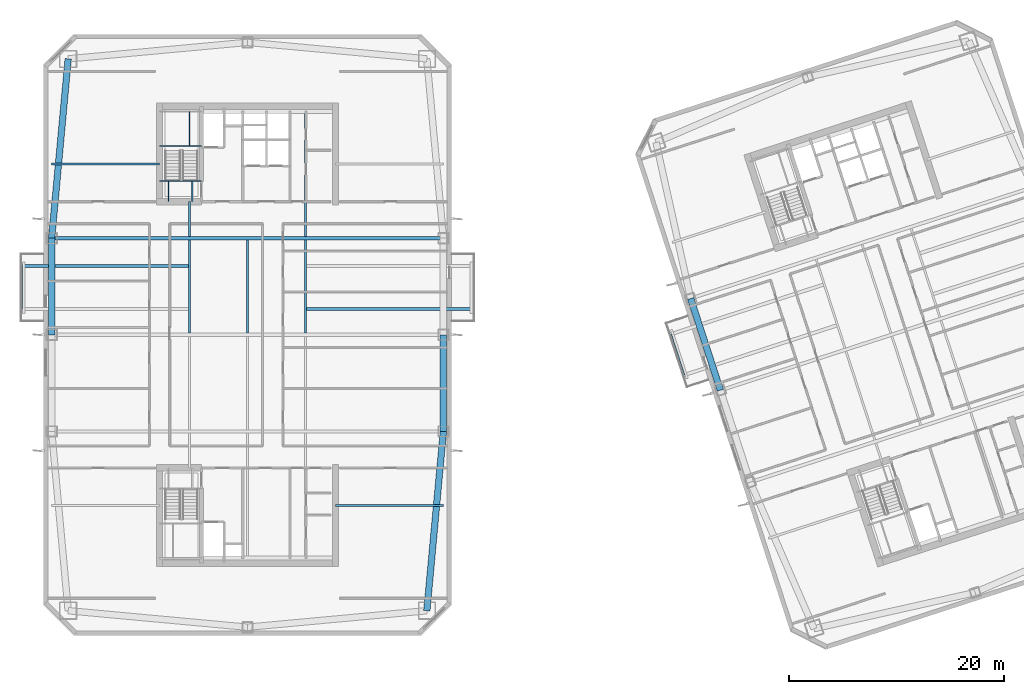
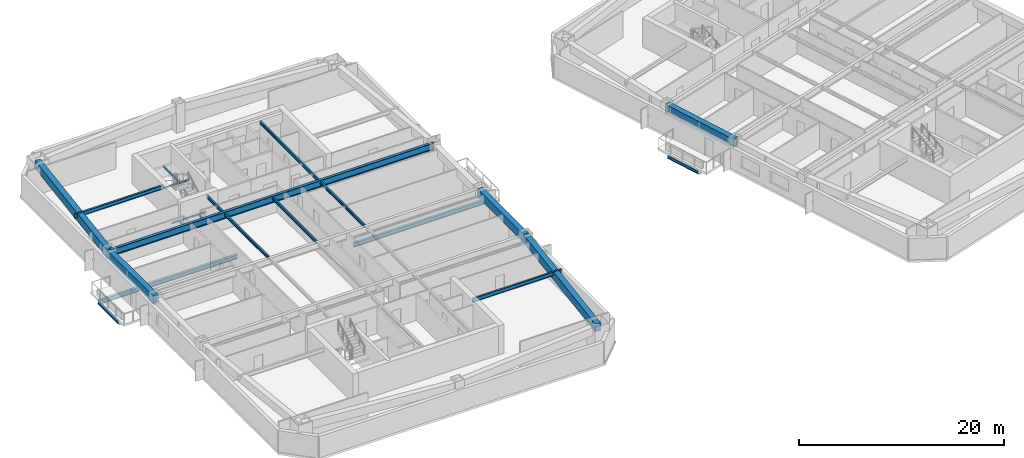
# One storey, part 4 of 23: 22 beams.
"""IFC4 building model written with IfcOpenShell, lengths in metres."""

import ifcopenshell
import ifcopenshell.guid

model = None  # the IFC model being written
_history = None  # IfcOwnerHistory: only IFC2X3 demands one
_inside = {}  # id of a spatial element -> (the spatial element, [elements in it])
_under = {}  # id of a project, library or spatial element -> (it, [spatial elements below it])
_declared = {}  # id of a project -> (the project, [libraries it declares])
_typed = {}  # id of a type object -> (the type object, [elements of that type])
_made_of = {}  # id of a material, layer set ... -> (it, [elements and type objects made of it])


def new_model(schema):
    """Start an empty IFC model of exactly this schema.

    Asked for "IFC4X3", IfcOpenShell would pick the latest addendum, in which some entities
    have other attributes; the version numbers below select the first issue.
    IFC2X3 requires an IfcOwnerHistory on every rooted entity: one is made here for all.
    """
    global model, _history
    if schema == "IFC4X3":
        model = ifcopenshell.file(schema_version=(4, 3, 0, 0))
    else:
        model = ifcopenshell.file(schema=schema)
    _inside.clear()
    _under.clear()
    _declared.clear()
    _typed.clear()
    _made_of.clear()
    _history = None
    if model.schema == "IFC2X3":
        org = make("IfcOrganization", Name="unknown")
        user = make(
            "IfcPersonAndOrganization",
            ThePerson=make("IfcPerson", FamilyName="unknown"),
            TheOrganization=org,
        )
        app = make(
            "IfcApplication",
            ApplicationDeveloper=org,
            Version="unknown",
            ApplicationFullName="unknown",
            ApplicationIdentifier="unknown",
        )
        _history = make(
            "IfcOwnerHistory",
            OwningUser=user,
            OwningApplication=app,
            ChangeAction="ADDED",
            CreationDate=0,
        )
    return model


def make(cls, **values):
    """One entity of the class cls with the attributes given. An attribute that is None is left unset."""
    return model.create_entity(
        cls, **{name: value for name, value in values.items() if value is not None}
    )


def rooted(cls, **values):
    """An entity with a GlobalId (a new one), such as an element, a storey or a relation."""
    return make(cls, GlobalId=ifcopenshell.guid.new(), OwnerHistory=_history, **values)


def si_unit(unit_type, name, prefix=None):
    """IfcSIUnit, for example si_unit("LENGTHUNIT", "METRE", prefix="MILLI")."""
    return make("IfcSIUnit", UnitType=unit_type, Prefix=prefix, Name=name)


def assignment(units):
    """IfcUnitAssignment: the units of a project."""
    return None if units is None else make("IfcUnitAssignment", Units=units)


def point(xyz):
    """IfcCartesianPoint."""
    return None if xyz is None else make("IfcCartesianPoint", Coordinates=xyz)


def direction(xyz):
    """IfcDirection."""
    return None if xyz is None else make("IfcDirection", DirectionRatios=xyz)


def frame(location, z_axis=None, x_axis=None):
    """IfcAxis2Placement3D, a coordinate frame: its origin and axes. An axis left out is left unset."""
    return make(
        "IfcAxis2Placement3D",
        Location=point(location),
        Axis=direction(z_axis),
        RefDirection=direction(x_axis),
    )


def frame_2d(location, x_axis=None):
    """IfcAxis2Placement2D, a coordinate frame in the plane: its origin and x axis."""
    return make(
        "IfcAxis2Placement2D", Location=point(location), RefDirection=direction(x_axis)
    )


def origin():
    """The frame at (0, 0, 0) with its axes left unset."""
    return frame((0.0, 0.0, 0.0))


def origin_2d():
    """The frame at (0, 0) in the plane with its x axis left unset."""
    return frame_2d((0.0, 0.0))


def place(relative_to, where):
    """IfcLocalPlacement: puts the frame where relative to a parent placement (None: the world)."""
    return make(
        "IfcLocalPlacement", PlacementRelTo=relative_to, RelativePlacement=where
    )


def context(
    kind, dimensions, precision=None, world=None, true_north=None, identifier=None
):
    """IfcGeometricRepresentationContext, for example the 3D "Model" context."""
    return make(
        "IfcGeometricRepresentationContext",
        ContextIdentifier=identifier,
        ContextType=kind,
        CoordinateSpaceDimension=dimensions,
        Precision=precision,
        WorldCoordinateSystem=world,
        TrueNorth=true_north,
    )


def subcontext(parent, identifier, kind, view, scale=None):
    """IfcGeometricRepresentationSubContext, for example "Body" below "Model"."""
    return make(
        "IfcGeometricRepresentationSubContext",
        ContextIdentifier=identifier,
        ContextType=kind,
        ParentContext=parent,
        TargetScale=scale,
        TargetView=view,
    )


def project(units=None, contexts=None):
    """IfcProject with its units and contexts."""
    return rooted(
        "IfcProject",
        Name="project",
        RepresentationContexts=contexts,
        UnitsInContext=assignment(units),
    )


def spatial(cls, under=None, at=None, **own):
    """A site, building, storey or space (cls), placed at a placement, below another one or the project."""
    s = rooted(cls, ObjectPlacement=at, **own)
    if under is not None:
        _under.setdefault(under.id(), (under, []))[1].append(s)
    return s


def profile(cls, at=None, kind="AREA", **sizes):
    """A parametric profile (cls). Its sizes go by their IFC names, for example OverallWidth=200.0."""
    return make(cls, ProfileType=kind, Position=at, **sizes)


def rectangle(**sizes):
    """IfcRectangleProfileDef."""
    return profile("IfcRectangleProfileDef", **sizes)


def i_section(**sizes):
    """IfcIShapeProfileDef."""
    return profile("IfcIShapeProfileDef", **sizes)


def extrude(swept, where, along, depth):
    """IfcExtrudedAreaSolid: the profile swept, set in the frame where, extruded along a direction by depth."""
    return make(
        "IfcExtrudedAreaSolid",
        SweptArea=swept,
        Position=where,
        ExtrudedDirection=direction(along),
        Depth=depth,
    )


def shape(context_of_items, identifier, shape_type, items):
    """IfcShapeRepresentation: the items that make up one representation, for example the "Body"."""
    return make(
        "IfcShapeRepresentation",
        ContextOfItems=context_of_items,
        RepresentationIdentifier=identifier,
        RepresentationType=shape_type,
        Items=items,
    )


def material(Name=None, Category=None):
    """IfcMaterial."""
    return make("IfcMaterial", Name=Name, Category=Category)


def material_profile(
    of_material, cross_section, Name=None, Category=None, Priority=None
):
    """IfcMaterialProfile: a cross section and its material."""
    return make(
        "IfcMaterialProfile",
        Name=Name,
        Material=of_material,
        Profile=cross_section,
        Priority=Priority,
        Category=Category,
    )


def profile_set(profiles, Name=None, composite=None):
    """IfcMaterialProfileSet."""
    return make(
        "IfcMaterialProfileSet",
        Name=Name,
        MaterialProfiles=profiles,
        CompositeProfile=composite,
    )


def made_of(thing, what):
    """Note that an element or type object is made of a material, layer set ...; save() writes the relation."""
    if what is not None:
        _made_of.setdefault(what.id(), (what, []))[1].append(thing)
    return thing


def type_object(cls, material=None, **own):
    """A type object (cls), such as IfcWallType, which elements share."""
    return made_of(rooted(cls, **own), material)


def element(
    cls,
    number,
    at=None,
    inside=None,
    cuts=None,
    type_object=None,
    material=None,
    context=None,
    identifier="Body",
    shape_type=None,
    held_by="IfcProductDefinitionShape",
    body=None,
    shapes=None,
    **own,
):
    """One element of the class cls, such as IfcWall. Its Tag is "e" and its number.

    at: its placement. inside: the storey or other place that contains it. cuts: it is an
    opening in that element (IfcRelVoidsElement). A single representation is given by context,
    identifier, shape_type and body (its items); several are given by shapes. held_by: the class
    of the entity that holds the representations. save() writes the other relations.
    """
    e = rooted(cls, Tag="e%d" % number, ObjectPlacement=at, **own)
    if body is not None:
        shapes = [shape(context, identifier, shape_type, body)]
    if shapes is not None:
        e.Representation = make(held_by, Representations=shapes)
    if inside is not None:
        _inside.setdefault(inside.id(), (inside, []))[1].append(e)
    if cuts is not None:
        rooted(
            "IfcRelVoidsElement", RelatingBuildingElement=cuts, RelatedOpeningElement=e
        )
    if type_object is not None:
        _typed.setdefault(type_object.id(), (type_object, []))[1].append(e)
    return made_of(e, material)


def aggregate(whole, parts):
    """IfcRelAggregates: a whole, such as a stair, and the parts it consists of."""
    return rooted("IfcRelAggregates", RelatingObject=whole, RelatedObjects=parts)


def save(model, path):
    """Write the relations noted so far, then the file.

    IfcRelAggregates (storeys below a building ...), IfcRelContainedInSpatialStructure (elements
    in a storey), IfcRelDefinesByType, IfcRelAssociatesMaterial and IfcRelDeclares: one each for
    every whole, place, type object, material and project.
    """
    for whole, parts in _under.values():
        aggregate(whole, parts)
    for where, things in _inside.values():
        rooted(
            "IfcRelContainedInSpatialStructure",
            RelatedElements=things,
            RelatingStructure=where,
        )
    for kind, things in _typed.values():
        rooted("IfcRelDefinesByType", RelatedObjects=things, RelatingType=kind)
    for what, things in _made_of.values():
        rooted("IfcRelAssociatesMaterial", RelatedObjects=things, RelatingMaterial=what)
    for by, libraries in _declared.values():
        rooted("IfcRelDeclares", RelatingContext=by, RelatedDefinitions=libraries)
    model.write(path)


model = new_model("IFC4")

# Units and contexts
model_context = context("Model", 3, precision=1e-05, world=origin(), true_north=direction((0.0, 1.0)))
body_context = subcontext(model_context, "Body", "Model", "MODEL_VIEW")
ifc_project = project(units=[si_unit("LENGTHUNIT", "METRE"), si_unit("AREAUNIT", "SQUARE_METRE"), si_unit("VOLUMEUNIT", "CUBIC_METRE"), si_unit("PLANEANGLEUNIT", "RADIAN"), si_unit("MASSUNIT", "GRAM", prefix="KILO")], contexts=[model_context])

# Site, building, storey
site_placement = place(None, origin())
site = spatial("IfcSite", under=ifc_project, at=site_placement, CompositionType="ELEMENT")
building_placement = place(site_placement, origin())
building = spatial("IfcBuilding", under=site, at=building_placement, Name="Qiaolan Cultural Towers", CompositionType="ELEMENT")
storey_placement = place(building_placement, frame((0.0, 0.0, 100.050048828125)))
storey = spatial("IfcBuildingStorey", under=building, at=storey_placement, Name="L25", CompositionType="ELEMENT", Elevation=100.050048828125)

# Beams
ifc_material_1 = material(Name="Steel Q355B", Category="steel")
ifc_material_profile_1 = material_profile(ifc_material_1, i_section(OverallWidth=0.300048828125, OverallDepth=0.488037109375, WebThickness=0.010986328125, FlangeThickness=0.01806640625, at=origin_2d()), Name="HM488x300x11x18")
ifc_profile_set_1 = profile_set([ifc_material_profile_1], Name="Steel Q355B")
beam_type_1 = type_object("IfcBeamType", Name="BM-HM488x300x11x18", PredefinedType="BEAM", material=ifc_profile_set_1)
for number, where, z_axis, x_axis, name in (
    (1, (24.60009765625, 40.39990234375, -0.524169921875), (-1.0, 0.0, 0.0), (0.0, -1.0, 0.0), "L25 T1 Tree Balcony Back-Spanned Bracket Beam"),
    (2, (35.39990234375, 36.39990234375, -0.524169921875), (1.0, 0.0, 0.0), (0.0, 1.0, 0.0), "L25 T1 Tree Balcony Back-Spanned Bracket Beam"),
):
    element("IfcBeam", number, at=place(storey_placement, frame(where, z_axis=z_axis, x_axis=x_axis)), inside=storey, type_object=beam_type_1, Name=name, PredefinedType="BEAM", context=body_context, shape_type="SweptSolid", body=[
        extrude(i_section(OverallWidth=0.300048828125, OverallDepth=0.488037109375, WebThickness=0.010986328125, FlangeThickness=0.01806640625, at=origin_2d()), origin(), (0.0, 0.0, 1.0), 15.650146484375),
    ])
ifc_material_2 = material(Name="Steel Q355B", Category="steel")
ifc_material_profile_2 = material_profile(ifc_material_2, i_section(OverallWidth=0.300048828125, OverallDepth=0.800048828125, WebThickness=0.013916015625, FlangeThickness=0.02587890625, at=origin_2d()), Name="HN800x300x14x26")
ifc_profile_set_2 = profile_set([ifc_material_profile_2], Name="Steel Q355B")
beam_type_2 = type_object("IfcBeamType", Name="BM-HN800x300x14x26", PredefinedType="BEAM", material=ifc_profile_set_2)
beam_1_placement = place(storey_placement, frame((11.75, 43.0, 2.7900390625), z_axis=(1.0, 0.0, 0.0), x_axis=(0.0, 1.0, 0.0)))
element("IfcBeam", 3, at=beam_1_placement, inside=storey, type_object=beam_type_2, Name="L25 T1 Primary Transverse Girder V3", PredefinedType="BEAM", context=body_context, shape_type="SweptSolid", body=[
    extrude(i_section(OverallWidth=0.300048828125, OverallDepth=0.800048828125, WebThickness=0.013916015625, FlangeThickness=0.02587890625, at=origin_2d()), origin(), (0.0, 0.0, 1.0), 36.5),
])
ifc_material_3 = material(Name="Steel Q355B", Category="steel")
ifc_material_profile_3 = material_profile(ifc_material_3, i_section(OverallWidth=0.175048828125, OverallDepth=0.35009765625, WebThickness=0.007080078125, FlangeThickness=0.010986328125, at=origin_2d()), Name="HN350x175x7x11")
ifc_profile_set_3 = profile_set([ifc_material_profile_3], Name="Steel Q355B")
beam_type_3 = type_object("IfcBeamType", Name="BM-JST-HN350x175x7x11", PredefinedType="JOIST", material=ifc_profile_set_3)
for number, where, z_axis, x_axis, name in (
    (4, (8.949951171875, 36.39990234375, -0.524169921875), (0.0, 1.0, 0.0), (-1.0, 0.0, 0.0), "L25 T1 Tree Balcony Outer Edge Beam"),
    (5, (70.665283203125, 30.2412109375, -0.524169921875), (-0.309022586479, 0.951054699292, 0.0), (-0.951054699292, -0.309022586479, 0.0), "L25 T2 Tree Balcony Outer Edge Beam"),
):
    element("IfcBeam", number, at=place(storey_placement, frame(where, z_axis=z_axis, x_axis=x_axis)), inside=storey, type_object=beam_type_3, Name=name, PredefinedType="JOIST", context=body_context, shape_type="SweptSolid", body=[
        extrude(i_section(OverallWidth=0.175048828125, OverallDepth=0.35009765625, WebThickness=0.007080078125, FlangeThickness=0.010986328125, at=origin_2d()), origin(), (0.0, 0.0, 1.0), 4.0),
    ])
beam_2_placement = place(storey_placement, frame((24.60009765625, 34.14990234375, 3.014892578125), z_axis=(0.0, 1.0, 0.0), x_axis=(-1.0, 0.0, 0.0)))
element("IfcBeam", 6, at=beam_2_placement, inside=storey, type_object=beam_type_3, Name="L25 T1 Secondary Floor Joist U1-3", PredefinedType="JOIST", context=body_context, shape_type="SweptSolid", body=[
    extrude(i_section(OverallWidth=0.175048828125, OverallDepth=0.35009765625, WebThickness=0.007080078125, FlangeThickness=0.010986328125, at=origin_2d()), origin(), (0.0, 0.0, 1.0), 8.7001953125),
])
beam_3_placement = place(storey_placement, frame((24.60009765625, 43.14990234375, 3.014892578125), z_axis=(0.0, 1.0, 0.0), x_axis=(-1.0, 0.0, 0.0)))
element("IfcBeam", 7, at=beam_3_placement, inside=storey, type_object=beam_type_3, Name="L25 T1 Secondary Floor Joist U1-4", PredefinedType="JOIST", context=body_context, shape_type="SweptSolid", body=[
    extrude(i_section(OverallWidth=0.175048828125, OverallDepth=0.35009765625, WebThickness=0.007080078125, FlangeThickness=0.010986328125, at=origin_2d()), origin(), (0.0, 0.0, 1.0), 3.25),
])
for number, where, z_axis, x_axis, name in (
    (8, (30.0, 34.14990234375, 3.014892578125), (0.0, 1.0, 0.0), (-1.0, 0.0, 0.0), "L25 T1 Secondary Floor Joist U2-3"),
    (9, (35.39990234375, 34.14990234375, 3.014892578125), (0.0, 1.0, 0.0), (-1.0, 0.0, 0.0), "L25 T1 Secondary Floor Joist U3-3"),
):
    element("IfcBeam", number, at=place(storey_placement, frame(where, z_axis=z_axis, x_axis=x_axis)), inside=storey, type_object=beam_type_3, Name=name, PredefinedType="JOIST", context=body_context, shape_type="SweptSolid", body=[
        extrude(i_section(OverallWidth=0.175048828125, OverallDepth=0.35009765625, WebThickness=0.007080078125, FlangeThickness=0.010986328125, at=origin_2d()), origin(), (0.0, 0.0, 1.0), 8.7001953125),
    ])
beam_4_placement = place(storey_placement, frame((35.39990234375, 43.14990234375, 3.014892578125), z_axis=(0.0, 1.0, 0.0), x_axis=(-1.0, 0.0, 0.0)))
element("IfcBeam", 10, at=beam_4_placement, inside=storey, type_object=beam_type_3, Name="L25 T1 Secondary Floor Joist U3-4", PredefinedType="JOIST", context=body_context, shape_type="SweptSolid", body=[
    extrude(i_section(OverallWidth=0.175048828125, OverallDepth=0.35009765625, WebThickness=0.007080078125, FlangeThickness=0.010986328125, at=origin_2d()), origin(), (0.0, 0.0, 1.0), 11.4501953125),
])
ifc_material_4 = material(Name="Steel Q355B", Category="steel")
ifc_material_profile_4 = material_profile(ifc_material_4, i_section(OverallWidth=0.199951171875, OverallDepth=0.449951171875, WebThickness=0.009033203125, FlangeThickness=0.013916015625, at=origin_2d()), Name="HN450x200x9x14")
ifc_profile_set_4 = profile_set([ifc_material_profile_4], Name="Steel Q355B")
beam_type_4 = type_object("IfcBeamType", Name="BM-LNT-HN450x200x9x14", PredefinedType="LINTEL", material=ifc_profile_set_4)
for number, where, z_axis, x_axis, name in (
    (11, (21.800048828125, 49.89990234375, 2.96484375), (-1.0, 0.0, 0.0), (0.0, -1.0, 0.0), "L25 T1 Core Flank Tie Lintel WN"),
    (12, (38.199951171875, 18.10009765625, 2.96484375), (1.0, 0.0, 0.0), (0.0, 1.0, 0.0), "L25 T1 Core Flank Tie Lintel ES"),
):
    element("IfcBeam", number, at=place(storey_placement, frame(where, z_axis=z_axis, x_axis=x_axis)), inside=storey, type_object=beam_type_4, Name=name, PredefinedType="LINTEL", context=body_context, shape_type="SweptSolid", body=[
        extrude(i_section(OverallWidth=0.199951171875, OverallDepth=0.449951171875, WebThickness=0.009033203125, FlangeThickness=0.013916015625, at=origin_2d()), origin(), (0.0, 0.0, 1.0), 10.050048828125),
    ])
ifc_material_5 = material(Name="Concrete C50", Category="concrete")
ifc_material_profile_5 = material_profile(ifc_material_5, rectangle(XDim=0.60009765625, YDim=0.949951171875, at=origin_2d()), Name="RC600x950")
ifc_profile_set_5 = profile_set([ifc_material_profile_5], Name="Concrete C50")
beam_type_5 = type_object("IfcBeamType", Name="BM-SPD-RC600x950", PredefinedType="SPANDREL", material=ifc_profile_set_5)
beam_5_placement = place(storey_placement, frame((46.7099609375, 8.2900390625, 2.71484375), z_axis=(0.09177399582, 0.995779862064, 0.0), x_axis=(-0.995779862064, 0.09177399582, 0.0)))
element("IfcBeam", 13, at=beam_5_placement, inside=storey, type_object=beam_type_5, Name="L25 T1 Perimeter Spandrel Beam 3", PredefinedType="SPANDREL", context=body_context, shape_type="SweptSolid", body=[
    extrude(rectangle(XDim=0.60009765625, YDim=0.949951171875, at=origin_2d()), origin(), (0.0, 0.0, 1.0), 16.78076171875),
])
beam_6_placement = place(storey_placement, frame((48.25, 25.0, 2.71484375), z_axis=(0.0, 1.0, 0.0), x_axis=(-1.0, 0.0, 0.0)))
element("IfcBeam", 14, at=beam_6_placement, inside=storey, type_object=beam_type_5, Name="L25 T1 Perimeter Spandrel Beam 4", PredefinedType="SPANDREL", context=body_context, shape_type="SweptSolid", body=[
    extrude(rectangle(XDim=0.60009765625, YDim=0.949951171875, at=origin_2d()), origin(), (0.0, 0.0, 1.0), 9.0),
])
beam_7_placement = place(storey_placement, frame((13.2900390625, 59.7099609375, 2.71484375), z_axis=(-0.09177399582, -0.995779862064, 0.0), x_axis=(0.995779862064, -0.09177399582, 0.0)))
element("IfcBeam", 15, at=beam_7_placement, inside=storey, type_object=beam_type_5, Name="L25 T1 Perimeter Spandrel Beam 9", PredefinedType="SPANDREL", context=body_context, shape_type="SweptSolid", body=[
    extrude(rectangle(XDim=0.60009765625, YDim=0.949951171875, at=origin_2d()), origin(), (0.0, 0.0, 1.0), 16.78076171875),
])
for number, where, z_axis, x_axis, name in (
    (16, (11.75, 43.0, 2.71484375), (0.0, -1.0, 0.0), (1.0, 0.0, 0.0), "L25 T1 Perimeter Spandrel Beam 10"),
    (17, (71.28857421875, 37.383544921875, 2.71484375), (0.309024734286, -0.951054001411, 0.0), (0.951054001411, 0.309024734286, 0.0), "L25 T2 Perimeter Spandrel Beam 10"),
):
    element("IfcBeam", number, at=place(storey_placement, frame(where, z_axis=z_axis, x_axis=x_axis)), inside=storey, type_object=beam_type_5, Name=name, PredefinedType="SPANDREL", context=body_context, shape_type="SweptSolid", body=[
        extrude(rectangle(XDim=0.60009765625, YDim=0.949951171875, at=origin_2d()), origin(), (0.0, 0.0, 1.0), 9.0),
    ])
ifc_material_6 = material(Name="Steel Q355B", Category="steel")
ifc_material_profile_6 = material_profile(ifc_material_6, i_section(OverallWidth=0.10009765625, OverallDepth=0.199951171875, WebThickness=0.005615234375, FlangeThickness=0.008056640625, at=origin_2d()), Name="HN200x100x5.5x8")
ifc_profile_set_6 = profile_set([ifc_material_profile_6], Name="Steel Q355B")
beam_type_6 = type_object("IfcBeamType", Name="BM-STTRIM-200", PredefinedType="BEAM", material=ifc_profile_set_6)
beam_8_placement = place(storey_placement, frame((21.800048828125, 48.340087890625, -0.4599609375), z_axis=(1.0, 0.0, 0.0), x_axis=(0.0, 1.0, 0.0)))
element("IfcBeam", 18, at=beam_8_placement, inside=storey, type_object=beam_type_6, Name="L25 ST-W2 Floor Landing Header Beam", PredefinedType="BEAM", context=body_context, shape_type="SweptSolid", body=[
    extrude(i_section(OverallWidth=0.10009765625, OverallDepth=0.199951171875, WebThickness=0.005615234375, FlangeThickness=0.008056640625, at=origin_2d()), origin(), (0.0, 0.0, 1.0), 3.919921875),
])
for number, where, z_axis, x_axis, name in (
    (19, (22.64990234375, 46.39990234375, -0.4599609375), (0.0, 1.0, 0.0), (-1.0, 0.0, 0.0), "L25 ST-W2 Floor Landing Stringer 1"),
    (20, (24.85009765625, 46.39990234375, -0.4599609375), (0.0, 1.0, 0.0), (-1.0, 0.0, 0.0), "L25 ST-W2 Floor Landing Stringer 2"),
):
    element("IfcBeam", number, at=place(storey_placement, frame(where, z_axis=z_axis, x_axis=x_axis)), inside=storey, type_object=beam_type_6, Name=name, PredefinedType="BEAM", context=body_context, shape_type="SweptSolid", body=[
        extrude(i_section(OverallWidth=0.10009765625, OverallDepth=0.199951171875, WebThickness=0.005615234375, FlangeThickness=0.008056640625, at=origin_2d()), origin(), (0.0, 0.0, 1.0), 1.940185546875),
    ])
beam_9_placement = place(storey_placement, frame((21.800048828125, 51.588623046875, 1.425048828125), z_axis=(1.0, 0.0, 0.0), x_axis=(0.0, 1.0, 0.0)))
element("IfcBeam", 21, at=beam_9_placement, inside=storey, type_object=beam_type_6, Name="L25 ST-W2 Stair Landing Support Beam 1-1", PredefinedType="BEAM", context=body_context, shape_type="SweptSolid", body=[
    extrude(i_section(OverallWidth=0.10009765625, OverallDepth=0.199951171875, WebThickness=0.005615234375, FlangeThickness=0.008056640625, at=origin_2d()), origin(), (0.0, 0.0, 1.0), 3.919921875),
])
beam_10_placement = place(storey_placement, frame((24.610107421875, 51.588623046875, 1.425048828125), z_axis=(0.0, 1.0, 0.0), x_axis=(-1.0, 0.0, 0.0)))
element("IfcBeam", 22, at=beam_10_placement, inside=storey, type_object=beam_type_6, Name="L25 ST-W2 Stair Landing Trimmer 1", PredefinedType="BEAM", context=body_context, shape_type="SweptSolid", body=[
    extrude(i_section(OverallWidth=0.10009765625, OverallDepth=0.199951171875, WebThickness=0.005615234375, FlangeThickness=0.008056640625, at=origin_2d()), origin(), (0.0, 0.0, 1.0), 3.2314453125),
])

save(model, "model.ifc")
